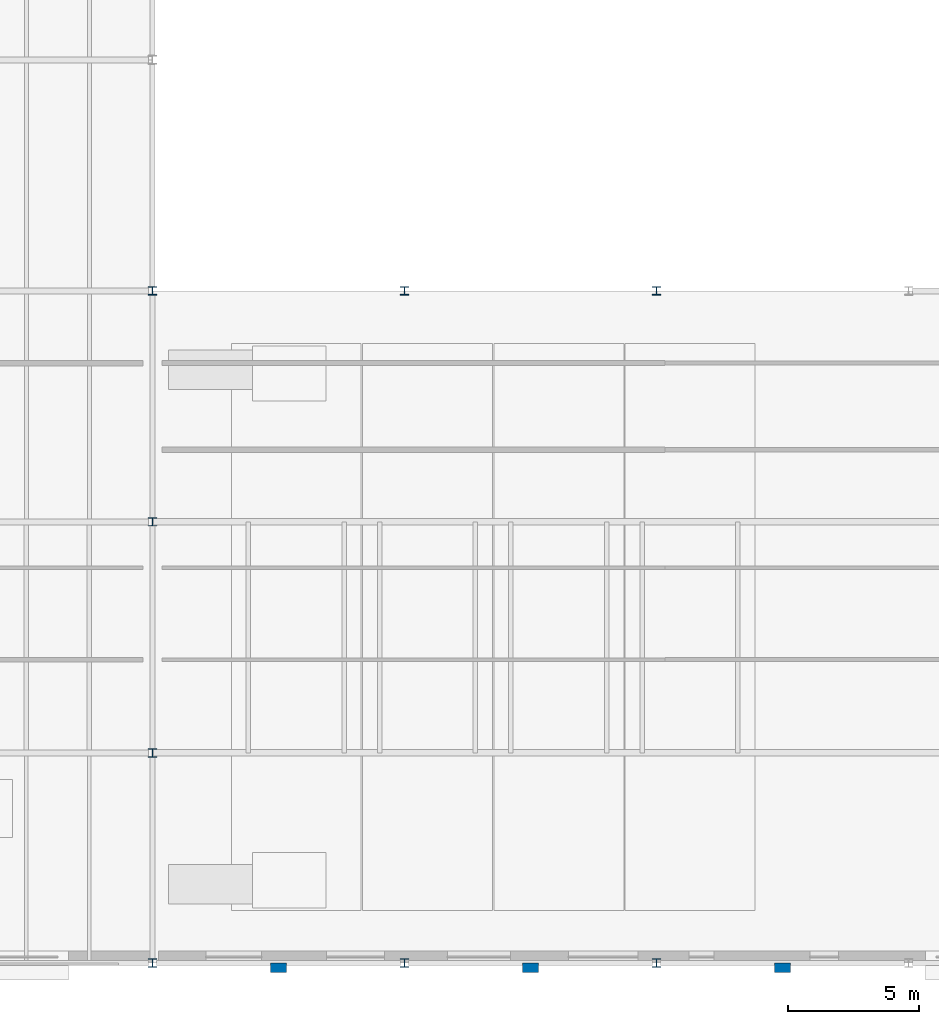
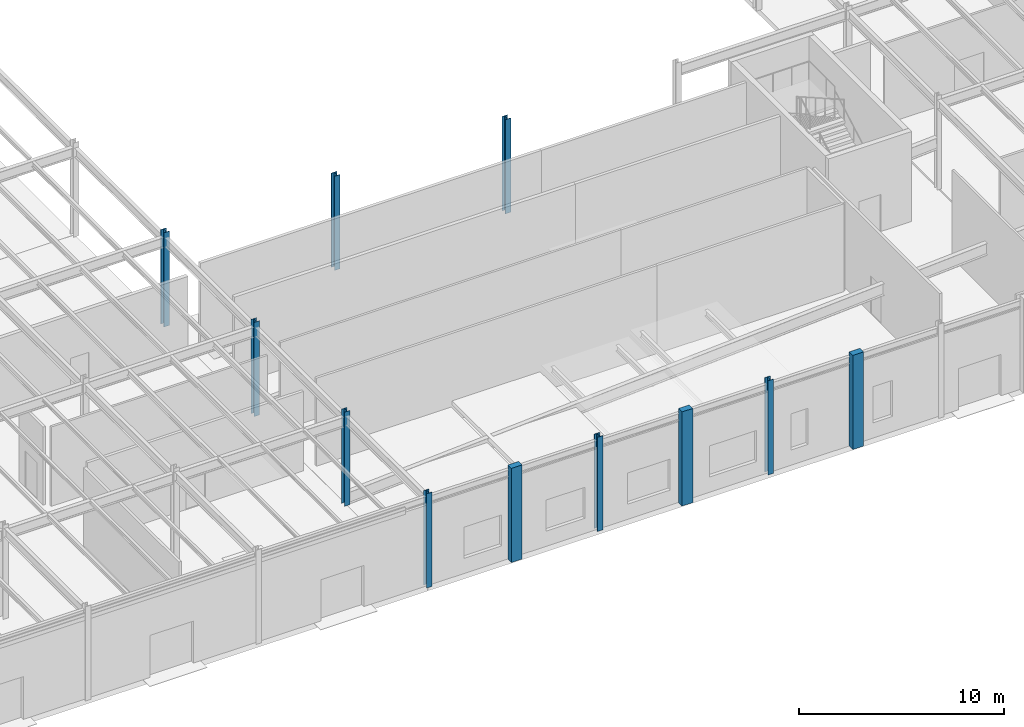
# One storey, part 2 of 70: 11 columns.
"""IFC4 building model written with IfcOpenShell, lengths in metres."""

from ifc_helpers import new_model, si_unit, direction, frame, origin, origin_2d, place, context, subcontext, project, spatial, rectangle, i_section, extrude, material, material_profile, profile_set, type_object, element, save


model = new_model("IFC4")

# Units and contexts
model_context = context("Model", 3, precision=1e-05, world=origin(), true_north=direction((0.0, 1.0)))
body_context = subcontext(model_context, "Body", "Model", "MODEL_VIEW")
ifc_project = project(units=[si_unit("LENGTHUNIT", "METRE"), si_unit("AREAUNIT", "SQUARE_METRE"), si_unit("VOLUMEUNIT", "CUBIC_METRE"), si_unit("PLANEANGLEUNIT", "RADIAN"), si_unit("MASSUNIT", "GRAM", prefix="KILO")], contexts=[model_context])

# Site, building, storey
site_placement = place(None, origin())
site = spatial("IfcSite", under=ifc_project, at=site_placement, CompositionType="ELEMENT")
building_placement = place(site_placement, origin())
building = spatial("IfcBuilding", under=site, at=building_placement, Name="Sarnbrook Museum", CompositionType="ELEMENT")
storey_placement = place(building_placement, origin())
storey = spatial("IfcBuildingStorey", under=building, at=storey_placement, Name="L00", CompositionType="ELEMENT", Elevation=0.0)

# Columns
ifc_material_1 = material(Name="Structural Steel Grade 300PLUS (AS/NZS 3679.1, fy = 280 MPa for 17 < t <= 40 mm, 300 MPa for t <= 17 mm)", Category="steel")
ifc_material_profile_1 = material_profile(ifc_material_1, i_section(OverallWidth=0.306884765625, OverallDepth=0.31494140625, WebThickness=0.011962890625, FlangeThickness=0.018798828125, FilletRadius=0.0166015625, at=origin_2d()), Name="310UC118")
ifc_profile_set_1 = profile_set([ifc_material_profile_1], Name="Structural Steel Grade 300PLUS (AS/NZS 3679.1, fy = 280 MPa for 17 < t <= 40 mm, 300 MPa for t <= 17 mm)")
column_type_1 = type_object("IfcColumnType", Name="COL-UC310", PredefinedType="COLUMN", material=ifc_profile_set_1)
for number, where, z_axis, x_axis, name in (
    (1, (42.39990234375, 12.800048828125, 0.0), (0.0, 0.0, 1.0), (1.0, 0.0, 0.0), "Column 5-B L00"),
    (2, (42.39990234375, 21.60009765625, 0.0), (0.0, 0.0, 1.0), (1.0, 0.0, 0.0), "Column 5-C L00"),
):
    element("IfcColumn", number, at=place(storey_placement, frame(where, z_axis=z_axis, x_axis=x_axis)), inside=storey, type_object=column_type_1, Name=name, PredefinedType="COLUMN", context=body_context, shape_type="SweptSolid", body=[
        extrude(i_section(OverallWidth=0.306884765625, OverallDepth=0.31494140625, WebThickness=0.011962890625, FlangeThickness=0.018798828125, FilletRadius=0.0166015625, at=origin_2d()), origin(), (0.0, 0.0, 1.0), 5.60009765625),
    ])
ifc_material_profile_2 = material_profile(ifc_material_1, i_section(OverallWidth=0.31103515625, OverallDepth=0.326904296875, WebThickness=0.015625, FlangeThickness=0.02490234375, FilletRadius=0.0166015625, at=origin_2d()), Name="310UC158")
ifc_profile_set_2 = profile_set([ifc_material_profile_2], Name="Structural Steel Grade 300PLUS (AS/NZS 3679.1, fy = 280 MPa for 17 < t <= 40 mm, 300 MPa for t <= 17 mm)")
column_type_2 = type_object("IfcColumnType", Name="COL-UC310H", PredefinedType="COLUMN", material=ifc_profile_set_2)
for number, where, z_axis, x_axis, name in (
    (3, (42.39990234375, 4.800048828125, 0.0), (0.0, 0.0, 1.0), (1.0, 0.0, 0.0), "Column 5-A L00"),
    (4, (42.39990234375, 30.39990234375, 0.0), (0.0, 0.0, 1.0), (1.0, 0.0, 0.0), "Column 5-D L00"),
    (5, (52.0, 4.800048828125, 0.0), (0.0, 0.0, 1.0), (1.0, 0.0, 0.0), "Column 6-A L00"),
    (6, (52.0, 30.39990234375, 0.0), (0.0, 0.0, 1.0), (1.0, 0.0, 0.0), "Column 6-D L00"),
    (7, (61.60009765625, 4.800048828125, 0.0), (0.0, 0.0, 1.0), (1.0, 0.0, 0.0), "Column 7-A L00"),
    (8, (61.60009765625, 30.39990234375, 0.0), (0.0, 0.0, 1.0), (1.0, 0.0, 0.0), "Column 7-D L00"),
):
    element("IfcColumn", number, at=place(storey_placement, frame(where, z_axis=z_axis, x_axis=x_axis)), inside=storey, type_object=column_type_2, Name=name, PredefinedType="COLUMN", context=body_context, shape_type="SweptSolid", body=[
        extrude(i_section(OverallWidth=0.31103515625, OverallDepth=0.326904296875, WebThickness=0.015625, FlangeThickness=0.02490234375, FilletRadius=0.0166015625, at=origin_2d()), origin(), (0.0, 0.0, 1.0), 5.60009765625),
    ])
ifc_material_2 = material(Name="Concrete N40 (AS 3600, f'c = 40 MPa)", Category="concrete")
ifc_material_profile_3 = material_profile(ifc_material_2, rectangle(XDim=0.60009765625, YDim=0.35009765625, at=origin_2d()), Name="PILASTER 600x350")
ifc_profile_set_3 = profile_set([ifc_material_profile_3], Name="Concrete N40 (AS 3600, f'c = 40 MPa)")
column_type_3 = type_object("IfcColumnType", Name="PIL-600x350", PredefinedType="PILASTER", material=ifc_profile_set_3)
for number, where, z_axis, x_axis, name in (
    (9, (47.199951171875, 4.6201171875, 0.0), (0.0, 0.0, 1.0), (1.0, 0.0, 0.0), "Sandstone Classical Pilaster P-S1 L00"),
    (10, (56.800048828125, 4.6201171875, 0.0), (0.0, 0.0, 1.0), (1.0, 0.0, 0.0), "Sandstone Classical Pilaster P-S2 L00"),
    (11, (66.39990234375, 4.6201171875, 0.0), (0.0, 0.0, 1.0), (1.0, 0.0, 0.0), "Sandstone Classical Pilaster P-S3 L00"),
):
    element("IfcColumn", number, at=place(storey_placement, frame(where, z_axis=z_axis, x_axis=x_axis)), inside=storey, type_object=column_type_3, Name=name, PredefinedType="PILASTER", context=body_context, shape_type="SweptSolid", body=[
        extrude(rectangle(XDim=0.60009765625, YDim=0.35009765625, at=origin_2d()), origin(), (0.0, 0.0, 1.0), 5.60009765625),
    ])

save(model, "model.ifc")
